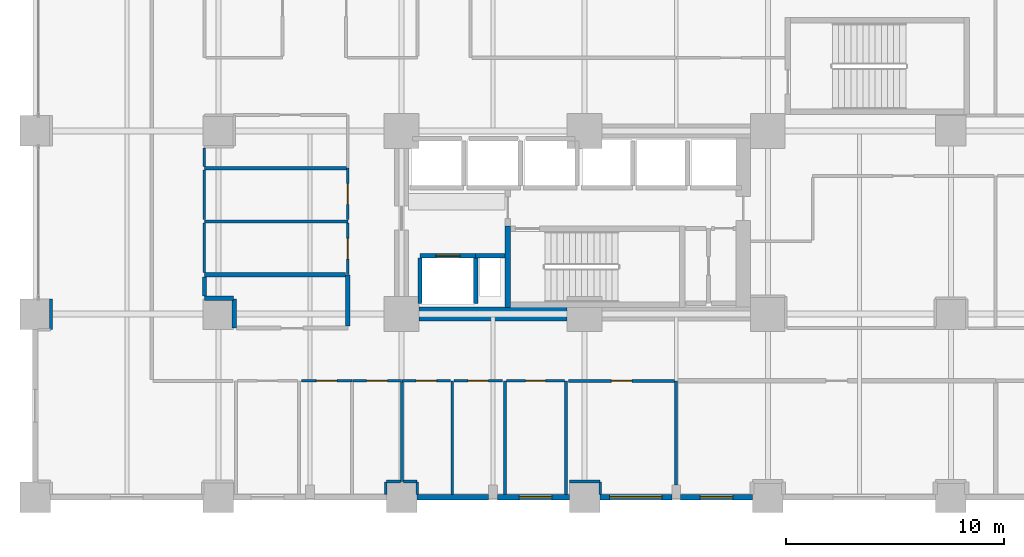
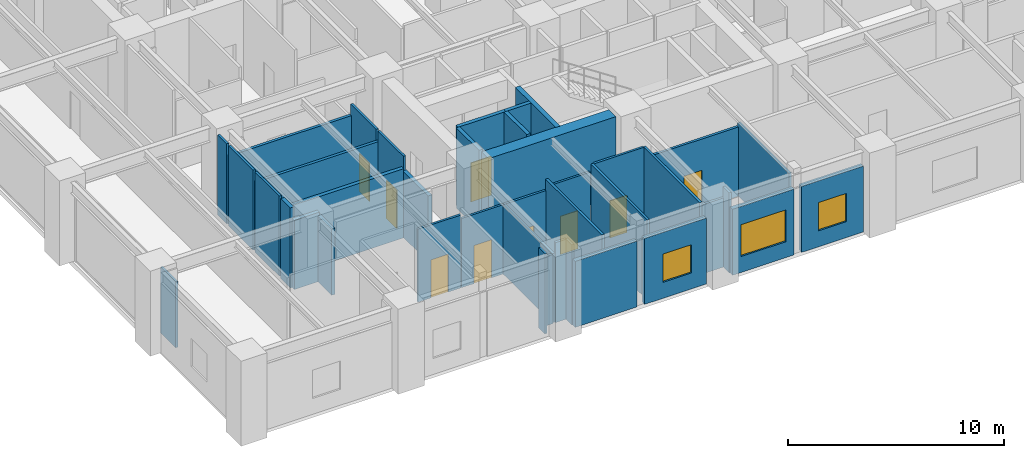
# One storey, part 19 of 24: 40 walls, 9 doors, 3 windows, 12 openings.
"""IFC4 building model written with IfcOpenShell, lengths in metres."""

from ifc_helpers import new_model, si_unit, direction, frame, frame_2d, origin, place, context, subcontext, project, spatial, rectangle, extrude, material, layer, layer_set, type_object, element, fill, save


model = new_model("IFC4")

# Units and contexts
model_context = context("Model", 3, precision=1e-05, world=origin(), true_north=direction((0.0, 1.0)))
body_context = subcontext(model_context, "Body", "Model", "MODEL_VIEW")
ifc_project = project(units=[si_unit("LENGTHUNIT", "METRE"), si_unit("AREAUNIT", "SQUARE_METRE"), si_unit("VOLUMEUNIT", "CUBIC_METRE"), si_unit("PLANEANGLEUNIT", "RADIAN"), si_unit("MASSUNIT", "GRAM", prefix="KILO")], contexts=[model_context])

# Site, building, storey
site_placement = place(None, origin())
site = spatial("IfcSite", under=ifc_project, at=site_placement, CompositionType="ELEMENT")
building_placement = place(site_placement, origin())
building = spatial("IfcBuilding", under=site, at=building_placement, Name="Nerrivon Quay Data Exchange", CompositionType="ELEMENT")
storey_placement = place(building_placement, frame((0.0, 0.0, 10.199951171875)))
storey = spatial("IfcBuildingStorey", under=building, at=storey_placement, Name="L02", CompositionType="ELEMENT", Elevation=10.199951171875)

# Wall, opening, window
ifc_material_1 = material(Name="Architectural terracotta precast concrete N50 (50 MPa)", Category="masonry")
ifc_layer_1 = layer(ifc_material_1, 0.239990234375)
ifc_layer_set_1 = layer_set([ifc_layer_1], Name="Architectural terracotta precast concrete N50 (50 MPa)")
wall_type_1 = type_object("IfcWallType", Name="EW-PREC-240", PredefinedType="STANDARD", material=ifc_layer_set_1)
wall_1_placement = place(storey_placement, frame((32.89990234375, 0.0, 0.0), z_axis=(0.0, 0.0, 1.0), x_axis=(-1.0, 0.0, 0.0)))
wall_1 = element("IfcWall", 1, at=wall_1_placement, inside=storey, type_object=wall_type_1, Name="L02 Podium Precast Spandrel Wall 23", PredefinedType="STANDARD", context=body_context, shape_type="SweptSolid", body=[
    extrude(rectangle(XDim=3.2998046875, YDim=0.239990234375, at=frame_2d((1.64990234375, 0.0))), origin(), (0.0, 0.0, 1.0), 3.72509765625),
])
opening_1_placement = place(wall_1_placement, frame((0.89990234375, 0.0, 0.89990234375)))
opening_1 = element("IfcOpeningElement", 2, at=opening_1_placement, cuts=wall_1, Name="Opening WN4", PredefinedType="OPENING", context=body_context, shape_type="SweptSolid", body=[
    extrude(rectangle(XDim=1.5, YDim=1.60009765625, at=frame_2d((0.75, 0.800048828125))), frame((0.0, 0.1298828125, 0.0), z_axis=(0.0, -1.0, 0.0), x_axis=(1.0, 0.0, 0.0)), (0.0, 0.0, 1.0), 0.260009765625),
])
ifc_material_2 = material(Name="Double-glazed low-E solar control glass", Category="glass")
window_type_1 = type_object("IfcWindowType", Name="WIN-W4-1500x1600", PartitioningType="SINGLE_PANEL", PredefinedType="WINDOW", material=ifc_material_2)
window_1_placement = place(opening_1_placement, origin())
window_1 = element("IfcWindow", 3, at=window_1_placement, inside=storey, type_object=window_type_1, Name="L02 Solar Facade Window 23", OverallHeight=1.60009765625, OverallWidth=1.5, PartitioningType="SINGLE_PANEL", PredefinedType="WINDOW", context=body_context, shape_type="SweptSolid", body=[
    extrude(rectangle(XDim=1.5, YDim=1.60009765625, at=frame_2d((0.75, 0.800048828125))), frame((0.0, 0.030029296875, 0.0), z_axis=(0.0, -1.0, 0.0), x_axis=(1.0, 0.0, 0.0)), (0.0, 0.0, 1.0), 0.06005859375),
])
fill(opening_1, window_1)

wall_2_placement = place(storey_placement, frame((29.199951171875, 0.0, 0.0), z_axis=(0.0, 0.0, 1.0), x_axis=(-1.0, 0.0, 0.0)))
wall_2 = element("IfcWall", 4, at=wall_2_placement, inside=storey, type_object=wall_type_1, Name="L02 Podium Precast Spandrel Wall 24", PredefinedType="STANDARD", context=body_context, shape_type="SweptSolid", body=[
    extrude(rectangle(XDim=3.300048828125, YDim=0.239990234375, at=frame_2d((1.64990234375, 0.0))), origin(), (0.0, 0.0, 1.0), 3.72509765625),
])
opening_2_placement = place(wall_2_placement, frame((0.449951171875, 0.0, 0.89990234375)))
opening_2 = element("IfcOpeningElement", 5, at=opening_2_placement, cuts=wall_2, Name="Opening WN1", PredefinedType="OPENING", context=body_context, shape_type="SweptSolid", body=[
    extrude(rectangle(XDim=2.39990234375, YDim=1.800048828125, at=frame_2d((1.199951171875, 0.89990234375))), frame((0.0, 0.1298828125, 0.0), z_axis=(0.0, -1.0, 0.0), x_axis=(1.0, 0.0, 0.0)), (0.0, 0.0, 1.0), 0.260009765625),
])
window_type_2 = type_object("IfcWindowType", Name="WIN-W1-2400x1800", PartitioningType="SINGLE_PANEL", PredefinedType="WINDOW", material=ifc_material_2)
window_2_placement = place(opening_2_placement, origin())
window_2 = element("IfcWindow", 6, at=window_2_placement, inside=storey, type_object=window_type_2, Name="L02 Solar Facade Window 24", OverallHeight=1.800048828125, OverallWidth=2.39990234375, PartitioningType="SINGLE_PANEL", PredefinedType="WINDOW", context=body_context, shape_type="SweptSolid", body=[
    extrude(rectangle(XDim=2.39990234375, YDim=1.800048828125, at=frame_2d((1.199951171875, 0.89990234375))), frame((0.0, 0.030029296875, 0.0), z_axis=(0.0, -1.0, 0.0), x_axis=(1.0, 0.0, 0.0)), (0.0, 0.0, 1.0), 0.06005859375),
])
fill(opening_2, window_2)

wall_3_placement = place(storey_placement, frame((24.5, 0.0, 0.0), z_axis=(0.0, 0.0, 1.0), x_axis=(-1.0, 0.0, 0.0)))
wall_3 = element("IfcWall", 7, at=wall_3_placement, inside=storey, type_object=wall_type_1, Name="L02 Podium Precast Spandrel Wall 25", PredefinedType="STANDARD", context=body_context, shape_type="SweptSolid", body=[
    extrude(rectangle(XDim=3.300048828125, YDim=0.239990234375, at=frame_2d((1.64990234375, 0.0))), origin(), (0.0, 0.0, 1.0), 3.72509765625),
])
opening_3_placement = place(wall_3_placement, frame((0.800048828125, 0.0, 0.89990234375)))
opening_3 = element("IfcOpeningElement", 8, at=opening_3_placement, cuts=wall_3, Name="Opening WN4", PredefinedType="OPENING", context=body_context, shape_type="SweptSolid", body=[
    extrude(rectangle(XDim=1.5, YDim=1.60009765625, at=frame_2d((0.75, 0.800048828125))), frame((0.0, 0.1298828125, 0.0), z_axis=(0.0, -1.0, 0.0), x_axis=(1.0, 0.0, 0.0)), (0.0, 0.0, 1.0), 0.260009765625),
])
window_3_placement = place(opening_3_placement, origin())
window_3 = element("IfcWindow", 9, at=window_3_placement, inside=storey, type_object=window_type_1, Name="L02 Solar Facade Window 25", OverallHeight=1.60009765625, OverallWidth=1.5, PartitioningType="SINGLE_PANEL", PredefinedType="WINDOW", context=body_context, shape_type="SweptSolid", body=[
    extrude(rectangle(XDim=1.5, YDim=1.60009765625, at=frame_2d((0.75, 0.800048828125))), frame((0.0, 0.030029296875, 0.0), z_axis=(0.0, -1.0, 0.0), x_axis=(1.0, 0.0, 0.0)), (0.0, 0.0, 1.0), 0.06005859375),
])
fill(opening_3, window_3)

# Walls
wall_4_placement = place(storey_placement, frame((20.800048828125, 0.0, 0.0), z_axis=(0.0, 0.0, 1.0), x_axis=(-1.0, 0.0, 0.0)))
element("IfcWall", 10, at=wall_4_placement, inside=storey, type_object=wall_type_1, Name="L02 Podium Precast Spandrel Wall 26", PredefinedType="STANDARD", context=body_context, shape_type="SweptSolid", body=[
    extrude(rectangle(XDim=3.300048828125, YDim=0.239990234375, at=frame_2d((1.64990234375, 0.0))), origin(), (0.0, 0.0, 1.0), 3.72509765625),
])
ifc_material_3 = material(Name="Concrete N80 (80 MPa)", Category="concrete")
ifc_layer_2 = layer(ifc_material_3, 0.64990234375)
ifc_layer_set_2 = layer_set([ifc_layer_2], Name="Concrete N80 (80 MPa)")
wall_type_2 = type_object("IfcWallType", Name="WALL-CW-850", PredefinedType="SHEAR", material=ifc_layer_set_2)
wall_5_placement = place(storey_placement, frame((17.60009765625, 8.39990234375, 0.0), z_axis=(0.0, 0.0, 1.0), x_axis=(1.0, 0.0, 0.0)))
element("IfcWall", 11, at=wall_5_placement, inside=storey, type_object=wall_type_2, Name="L02 East Split-Core Shear Wall ECW-S1", PredefinedType="SHEAR", context=body_context, shape_type="SweptSolid", body=[
    extrude(rectangle(XDim=6.7998046875, YDim=0.64990234375, at=frame_2d((3.39990234375, 0.0))), origin(), (0.0, 0.0, 1.0), 4.525146484375),
])
ifc_material_4 = material(Name="Gypsum plasterboard on cold-formed framing", Category="gypsum")
ifc_layer_3 = layer(ifc_material_4, 0.199951171875)
ifc_layer_set_3 = layer_set([ifc_layer_3], Name="Gypsum plasterboard on cold-formed framing")
wall_type_3 = type_object("IfcWallType", Name="WALL-FW-200", PredefinedType="PARTITIONING", material=ifc_layer_set_3)
wall_6_placement = place(storey_placement, frame((20.199951171875, 11.080078125, 0.0), z_axis=(0.0, 0.0, 1.0), x_axis=(1.0, 0.0, 0.0)))
element("IfcWall", 12, at=wall_6_placement, inside=storey, type_object=wall_type_3, Name="L02 East Core MEP Riser Shaft Wall N", PredefinedType="PARTITIONING", context=body_context, shape_type="SweptSolid", body=[
    extrude(rectangle(XDim=1.35009765625, YDim=0.199951171875, at=frame_2d((0.675048828125, 0.0))), origin(), (0.0, 0.0, 1.0), 4.525146484375),
])

# Wall, opening, door
wall_7_placement = place(storey_placement, frame((17.64990234375, 11.080078125, 0.0), z_axis=(0.0, 0.0, 1.0), x_axis=(1.0, 0.0, 0.0)))
wall_7 = element("IfcWall", 13, at=wall_7_placement, inside=storey, type_object=wall_type_3, Name="L02 Lift Front Wall FFL-2", PredefinedType="PARTITIONING", context=body_context, shape_type="SweptSolid", body=[
    extrude(rectangle(XDim=2.550048828125, YDim=0.199951171875, at=frame_2d((1.27490234375, 0.0))), origin(), (0.0, 0.0, 1.0), 4.525146484375),
])
opening_4_placement = place(wall_7_placement, frame((0.72509765625, 0.0, 0.0)))
opening_4 = element("IfcOpeningElement", 14, at=opening_4_placement, cuts=wall_7, Name="Opening LD-120", PredefinedType="OPENING", context=body_context, shape_type="SweptSolid", body=[
    extrude(rectangle(XDim=1.10009765625, YDim=2.199951171875, at=frame_2d((0.550048828125, 1.10009765625))), frame((0.0, 0.10986328125, 0.0), z_axis=(0.0, -1.0, 0.0), x_axis=(1.0, 0.0, 0.0)), (0.0, 0.0, 1.0), 0.219970703125),
])
ifc_material_5 = material(Name="Powder-coated galvanized steel sheet", Category="steel")
door_type_1 = type_object("IfcDoorType", Name="DR-LIFT-LD120", OperationType="DOUBLE_DOOR_SLIDING", PredefinedType="DOOR", material=ifc_material_5)
door_1_placement = place(opening_4_placement, origin())
door_1 = element("IfcDoor", 15, at=door_1_placement, inside=storey, type_object=door_type_1, Name="L02 Lift Landing Sliding Door FFL-2", OperationType="DOUBLE_DOOR_SLIDING", OverallHeight=2.199951171875, OverallWidth=1.10009765625, PredefinedType="DOOR", context=body_context, shape_type="SweptSolid", body=[
    extrude(rectangle(XDim=1.10009765625, YDim=2.199951171875, at=frame_2d((0.550048828125, 1.10009765625))), frame((0.0, 0.02490234375, 0.0), z_axis=(0.0, -1.0, 0.0), x_axis=(1.0, 0.0, 0.0)), (0.0, 0.0, 1.0), 0.050048828125),
])
fill(opening_4, door_1)

# Walls
for number, where, z_axis, x_axis, name in (
    (16, (20.199951171875, 8.8798828125, 0.0), (0.0, 0.0, 1.0), (0.0, 1.0, 0.0), "L02 Lift Shaft Wall FFL-2 EAST"),
    (17, (17.64990234375, 8.8798828125, 0.0), (0.0, 0.0, 1.0), (0.0, 1.0, 0.0), "L02 Lift Shaft Wall FFL-2 WEST"),
):
    element("IfcWall", number, at=place(storey_placement, frame(where, z_axis=z_axis, x_axis=x_axis)), inside=storey, type_object=wall_type_3, Name=name, PredefinedType="PARTITIONING", context=body_context, shape_type="SweptSolid", body=[
        extrude(rectangle(XDim=2.10009765625, YDim=0.199951171875, at=frame_2d((1.050048828125, 0.0))), origin(), (0.0, 0.0, 1.0), 4.525146484375),
    ])
wall_8_placement = place(storey_placement, frame((7.760009765625, 9.1201171875, 0.0), z_axis=(0.0, 0.0, 1.0), x_axis=(1.0, 0.0, 0.0)))
element("IfcWall", 18, at=wall_8_placement, inside=storey, type_object=wall_type_3, Name="L02 Partition Colocation Data Workspace 1", PredefinedType="PARTITIONING", context=body_context, shape_type="SweptSolid", body=[
    extrude(rectangle(XDim=1.340087890625, YDim=0.199951171875, at=frame_2d((0.669921875, 0.0))), origin(), (0.0, 0.0, 1.0), 3.9130859375),
])
wall_9_placement = place(storey_placement, frame((9.1201171875, 9.10009765625, 0.0), z_axis=(0.0, 0.0, 1.0), x_axis=(0.0, -1.0, 0.0)))
element("IfcWall", 19, at=wall_9_placement, inside=storey, type_object=wall_type_3, Name="L02 Partition Colocation Data Workspace 1", PredefinedType="PARTITIONING", context=body_context, shape_type="SweptSolid", body=[
    extrude(rectangle(XDim=1.340087890625, YDim=0.199951171875, at=frame_2d((0.669921875, 0.0))), origin(), (0.0, 0.0, 1.0), 3.72509765625),
])
wall_10_placement = place(storey_placement, frame((14.340087890625, 7.864013671875, 0.0), z_axis=(0.0, 0.0, 1.0), x_axis=(0.0, 1.0, 0.0)))
element("IfcWall", 20, at=wall_10_placement, inside=storey, type_object=wall_type_3, Name="L02 Partition Colocation Data Workspace 1", PredefinedType="PARTITIONING", context=body_context, shape_type="SweptSolid", body=[
    extrude(rectangle(XDim=2.341064453125, YDim=0.199951171875, at=frame_2d((1.17041015625, 0.0))), origin(), (0.0, 0.0, 1.0), 3.72509765625),
])
wall_11_placement = place(storey_placement, frame((14.236083984375, 10.205078125, 0.0), z_axis=(0.0, 0.0, 1.0), x_axis=(-1.0, 0.0, 0.0)))
element("IfcWall", 21, at=wall_11_placement, inside=storey, type_object=wall_type_3, Name="L02 Partition Colocation Data Workspace 1", PredefinedType="PARTITIONING", context=body_context, shape_type="SweptSolid", body=[
    extrude(rectangle(XDim=6.47607421875, YDim=0.199951171875, at=frame_2d((3.238037109375, 0.0))), origin(), (0.0, 0.0, 1.0), 3.9130859375),
])
wall_12_placement = place(storey_placement, frame((7.760009765625, 10.10107421875, 0.0), z_axis=(0.0, 0.0, 1.0), x_axis=(0.0, -1.0, 0.0)))
element("IfcWall", 22, at=wall_12_placement, inside=storey, type_object=wall_type_3, Name="L02 Partition Colocation Data Workspace 1", PredefinedType="PARTITIONING", context=body_context, shape_type="SweptSolid", body=[
    extrude(rectangle(XDim=0.876953125, YDim=0.199951171875, at=frame_2d((0.4384765625, 0.0))), origin(), (0.0, 0.0, 1.0), 4.525146484375),
])

# Wall, opening, door
ifc_layer_4 = layer(ifc_material_4, 0.1201171875)
ifc_layer_set_4 = layer_set([ifc_layer_4], Name="Gypsum plasterboard on cold-formed framing")
wall_type_4 = type_object("IfcWallType", Name="WALL-PT-120", PredefinedType="PARTITIONING", material=ifc_layer_set_4)
wall_13_placement = place(storey_placement, frame((24.278564453125, 5.340087890625, 0.0), z_axis=(0.0, 0.0, 1.0), x_axis=(-1.0, 0.0, 0.0)))
wall_13 = element("IfcWall", 23, at=wall_13_placement, inside=storey, type_object=wall_type_4, Name="L02 Partition Public Washrooms", PredefinedType="PARTITIONING", context=body_context, shape_type="SweptSolid", body=[
    extrude(rectangle(XDim=2.656982421875, YDim=0.1201171875, at=frame_2d((1.32861328125, 0.0))), origin(), (0.0, 0.0, 1.0), 4.525146484375),
])
opening_5_placement = place(wall_13_placement, frame((0.868408203125, 0.0, 0.0)))
opening_5 = element("IfcOpeningElement", 24, at=opening_5_placement, cuts=wall_13, Name="Opening D-WC", PredefinedType="OPENING", context=body_context, shape_type="SweptSolid", body=[
    extrude(rectangle(XDim=0.919921875, YDim=2.10009765625, at=frame_2d((0.4599609375, 1.050048828125))), frame((0.0, 0.070068359375, 0.0), z_axis=(0.0, -1.0, 0.0), x_axis=(1.0, 0.0, 0.0)), (0.0, 0.0, 1.0), 0.14013671875),
])
ifc_material_6 = material(Name="Engineered hardwood timber", Category="wood")
door_type_2 = type_object("IfcDoorType", Name="DR-WC-920", OperationType="NOTDEFINED", PredefinedType="DOOR", material=ifc_material_6)
door_2_placement = place(opening_5_placement, origin())
door_2 = element("IfcDoor", 25, at=door_2_placement, inside=storey, type_object=door_type_2, Name="L02 Door Public Washrooms", OperationType="SINGLE_SWING_RIGHT", OverallHeight=2.10009765625, OverallWidth=0.919921875, PredefinedType="DOOR", context=body_context, shape_type="SweptSolid", body=[
    extrude(rectangle(XDim=0.919921875, YDim=2.10009765625, at=frame_2d((0.4599609375, 1.050048828125))), frame((0.0, 0.02490234375, 0.0), z_axis=(0.0, -1.0, 0.0), x_axis=(1.0, 0.0, 0.0)), (0.0, 0.0, 1.0), 0.050048828125),
])
fill(opening_5, door_2)

wall_14_placement = place(storey_placement, frame((19.055908203125, 5.340087890625, 0.0), z_axis=(0.0, 0.0, 1.0), x_axis=(-1.0, 0.0, 0.0)))
wall_14 = element("IfcWall", 26, at=wall_14_placement, inside=storey, type_object=wall_type_4, Name="L02 Partition Staff Pantry", PredefinedType="PARTITIONING", context=body_context, shape_type="SweptSolid", body=[
    extrude(rectangle(XDim=2.23095703125, YDim=0.1201171875, at=frame_2d((1.115478515625, 0.0))), origin(), (0.0, 0.0, 1.0), 3.9130859375),
])
opening_6_placement = place(wall_14_placement, frame((0.640380859375, 0.0, 0.0)))
opening_6 = element("IfcOpeningElement", 27, at=opening_6_placement, cuts=wall_14, Name="Opening D-01", PredefinedType="OPENING", context=body_context, shape_type="SweptSolid", body=[
    extrude(rectangle(XDim=0.949951171875, YDim=2.14990234375, at=frame_2d((0.47509765625, 1.074951171875))), frame((0.0, 0.070068359375, 0.0), z_axis=(0.0, -1.0, 0.0), x_axis=(1.0, 0.0, 0.0)), (0.0, 0.0, 1.0), 0.14013671875),
])
door_type_3 = type_object("IfcDoorType", Name="DR-INT-950", OperationType="NOTDEFINED", PredefinedType="DOOR", material=ifc_material_6)
door_3_placement = place(opening_6_placement, origin())
door_3 = element("IfcDoor", 28, at=door_3_placement, inside=storey, type_object=door_type_3, Name="L02 Door Staff Pantry", OperationType="SINGLE_SWING_LEFT", OverallHeight=2.14990234375, OverallWidth=0.949951171875, PredefinedType="DOOR", context=body_context, shape_type="SweptSolid", body=[
    extrude(rectangle(XDim=0.949951171875, YDim=2.14990234375, at=frame_2d((0.47509765625, 1.074951171875))), frame((0.0, 0.02490234375, 0.0), z_axis=(0.0, -1.0, 0.0), x_axis=(1.0, 0.0, 0.0)), (0.0, 0.0, 1.0), 0.050048828125),
])
fill(opening_6, door_3)

# Walls
wall_15_placement = place(storey_placement, frame((16.896484375, 0.719970703125, 0.0), z_axis=(0.0, 0.0, 1.0), x_axis=(1.0, 0.0, 0.0)))
element("IfcWall", 29, at=wall_15_placement, inside=storey, type_object=wall_type_4, Name="L02 Partition Staff Pantry", PredefinedType="PARTITIONING", context=body_context, shape_type="SweptSolid", body=[
    extrude(rectangle(XDim=0.603515625, YDim=0.1201171875, at=frame_2d((0.3017578125, 0.0))), origin(), (0.0, 0.0, 1.0), 4.525146484375),
])
wall_16_placement = place(storey_placement, frame((17.52001953125, 0.699951171875, 0.0), z_axis=(0.0, 0.0, 1.0), x_axis=(0.0, -1.0, 0.0)))
element("IfcWall", 30, at=wall_16_placement, inside=storey, type_object=wall_type_4, Name="L02 Partition Staff Pantry", PredefinedType="PARTITIONING", context=body_context, shape_type="SweptSolid", body=[
    extrude(rectangle(XDim=0.575927734375, YDim=0.1201171875, at=frame_2d((0.2880859375, 0.0))), origin(), (0.0, 0.0, 1.0), 4.525146484375),
])

# Wall, opening, door
wall_17_placement = place(storey_placement, frame((14.5224609375, 5.340087890625, 0.0), z_axis=(0.0, 0.0, 1.0), x_axis=(-1.0, 0.0, 0.0)))
wall_17 = element("IfcWall", 31, at=wall_17_placement, inside=storey, type_object=wall_type_4, Name="L02 Partition Exchange Gallery Auditorium", PredefinedType="PARTITIONING", context=body_context, shape_type="SweptSolid", body=[
    extrude(rectangle(XDim=2.302490234375, YDim=0.1201171875, at=frame_2d((1.1513671875, 0.0))), origin(), (0.0, 0.0, 1.0), 4.1220703125),
])
opening_7_placement = place(wall_17_placement, frame((0.67626953125, 0.0, 0.0)))
opening_7 = element("IfcOpeningElement", 32, at=opening_7_placement, cuts=wall_17, Name="Opening D-01", PredefinedType="OPENING", context=body_context, shape_type="SweptSolid", body=[
    extrude(rectangle(XDim=0.949951171875, YDim=2.14990234375, at=frame_2d((0.47509765625, 1.074951171875))), frame((0.0, 0.070068359375, 0.0), z_axis=(0.0, -1.0, 0.0), x_axis=(1.0, 0.0, 0.0)), (0.0, 0.0, 1.0), 0.14013671875),
])
door_4_placement = place(opening_7_placement, origin())
door_4 = element("IfcDoor", 33, at=door_4_placement, inside=storey, type_object=door_type_3, Name="L02 Door Exchange Gallery Auditorium", OperationType="SINGLE_SWING_RIGHT", OverallHeight=2.14990234375, OverallWidth=0.949951171875, PredefinedType="DOOR", context=body_context, shape_type="SweptSolid", body=[
    extrude(rectangle(XDim=0.949951171875, YDim=2.14990234375, at=frame_2d((0.47509765625, 1.074951171875))), frame((0.0, 0.02490234375, 0.0), z_axis=(0.0, -1.0, 0.0), x_axis=(1.0, 0.0, 0.0)), (0.0, 0.0, 1.0), 0.050048828125),
])
fill(opening_7, door_4)

# Walls
wall_18_placement = place(storey_placement, frame((16.080078125, 0.1240234375, 0.0), z_axis=(0.0, 0.0, 1.0), x_axis=(0.0, 1.0, 0.0)))
element("IfcWall", 34, at=wall_18_placement, inside=storey, type_object=wall_type_4, Name="L02 Partition Technical Seminar Room 1", PredefinedType="PARTITIONING", context=body_context, shape_type="SweptSolid", body=[
    extrude(rectangle(XDim=0.575927734375, YDim=0.1201171875, at=frame_2d((0.2880859375, 0.0))), origin(), (0.0, 0.0, 1.0), 4.525146484375),
])
wall_19_placement = place(storey_placement, frame((16.10009765625, 0.719970703125, 0.0), z_axis=(0.0, 0.0, 1.0), x_axis=(1.0, 0.0, 0.0)))
element("IfcWall", 35, at=wall_19_placement, inside=storey, type_object=wall_type_4, Name="L02 Partition Technical Seminar Room 1", PredefinedType="PARTITIONING", context=body_context, shape_type="SweptSolid", body=[
    extrude(rectangle(XDim=0.6533203125, YDim=0.1201171875, at=frame_2d((0.32666015625, 0.0))), origin(), (0.0, 0.0, 1.0), 3.9130859375),
])

# Wall, opening, door
wall_20_placement = place(storey_placement, frame((16.804931640625, 5.340087890625, 0.0), z_axis=(0.0, 0.0, 1.0), x_axis=(-1.0, 0.0, 0.0)))
wall_20 = element("IfcWall", 36, at=wall_20_placement, inside=storey, type_object=wall_type_4, Name="L02 Partition Technical Seminar Room 1", PredefinedType="PARTITIONING", context=body_context, shape_type="SweptSolid", body=[
    extrude(rectangle(XDim=2.262451171875, YDim=0.1201171875, at=frame_2d((1.13134765625, 0.0))), origin(), (0.0, 0.0, 1.0), 3.9130859375),
])
opening_8_placement = place(wall_20_placement, frame((0.65625, 0.0, 0.0)))
opening_8 = element("IfcOpeningElement", 37, at=opening_8_placement, cuts=wall_20, Name="Opening D-01", PredefinedType="OPENING", context=body_context, shape_type="SweptSolid", body=[
    extrude(rectangle(XDim=0.949951171875, YDim=2.14990234375, at=frame_2d((0.47509765625, 1.074951171875))), frame((0.0, 0.070068359375, 0.0), z_axis=(0.0, -1.0, 0.0), x_axis=(1.0, 0.0, 0.0)), (0.0, 0.0, 1.0), 0.14013671875),
])
door_5_placement = place(opening_8_placement, origin())
door_5 = element("IfcDoor", 38, at=door_5_placement, inside=storey, type_object=door_type_3, Name="L02 Door Technical Seminar Room 1", OperationType="SINGLE_SWING_LEFT", OverallHeight=2.14990234375, OverallWidth=0.949951171875, PredefinedType="DOOR", context=body_context, shape_type="SweptSolid", body=[
    extrude(rectangle(XDim=0.949951171875, YDim=2.14990234375, at=frame_2d((0.47509765625, 1.074951171875))), frame((0.0, 0.02490234375, 0.0), z_axis=(0.0, -1.0, 0.0), x_axis=(1.0, 0.0, 0.0)), (0.0, 0.0, 1.0), 0.050048828125),
])
fill(opening_8, door_5)

wall_21_placement = place(storey_placement, frame((21.429931640625, 5.340087890625, 0.0), z_axis=(0.0, 0.0, 1.0), x_axis=(-1.0, 0.0, 0.0)))
wall_21 = element("IfcWall", 39, at=wall_21_placement, inside=storey, type_object=wall_type_4, Name="L02 Partition Executive Boardroom", PredefinedType="PARTITIONING", context=body_context, shape_type="SweptSolid", body=[
    extrude(rectangle(XDim=2.23095703125, YDim=0.1201171875, at=frame_2d((1.115478515625, 0.0))), origin(), (0.0, 0.0, 1.0), 4.1220703125),
])
opening_9_placement = place(wall_21_placement, frame((0.640380859375, 0.0, 0.0)))
opening_9 = element("IfcOpeningElement", 40, at=opening_9_placement, cuts=wall_21, Name="Opening D-01", PredefinedType="OPENING", context=body_context, shape_type="SweptSolid", body=[
    extrude(rectangle(XDim=0.949951171875, YDim=2.14990234375, at=frame_2d((0.47509765625, 1.074951171875))), frame((0.0, 0.070068359375, 0.0), z_axis=(0.0, -1.0, 0.0), x_axis=(1.0, 0.0, 0.0)), (0.0, 0.0, 1.0), 0.14013671875),
])
door_6_placement = place(opening_9_placement, origin())
door_6 = element("IfcDoor", 41, at=door_6_placement, inside=storey, type_object=door_type_3, Name="L02 Door Executive Boardroom", OperationType="SINGLE_SWING_RIGHT", OverallHeight=2.14990234375, OverallWidth=0.949951171875, PredefinedType="DOOR", context=body_context, shape_type="SweptSolid", body=[
    extrude(rectangle(XDim=0.949951171875, YDim=2.14990234375, at=frame_2d((0.47509765625, 1.074951171875))), frame((0.0, 0.02490234375, 0.0), z_axis=(0.0, -1.0, 0.0), x_axis=(1.0, 0.0, 0.0)), (0.0, 0.0, 1.0), 0.050048828125),
])
fill(opening_9, door_6)

wall_22_placement = place(storey_placement, frame((14.340087890625, 12.72900390625, 0.0), z_axis=(0.0, 0.0, 1.0), x_axis=(0.0, 1.0, 0.0)))
wall_22 = element("IfcWall", 42, at=wall_22_placement, inside=storey, type_object=wall_type_4, Name="L02 Partition Cloud Compute Workspace 1", PredefinedType="PARTITIONING", context=body_context, shape_type="SweptSolid", body=[
    extrude(rectangle(XDim=2.365966796875, YDim=0.1201171875, at=frame_2d((1.18310546875, 0.0))), origin(), (0.0, 0.0, 1.0), 4.525146484375),
])
opening_10_placement = place(wall_22_placement, frame((0.7080078125, 0.0, 0.0)))
opening_10 = element("IfcOpeningElement", 43, at=opening_10_placement, cuts=wall_22, Name="Opening D-01", PredefinedType="OPENING", context=body_context, shape_type="SweptSolid", body=[
    extrude(rectangle(XDim=0.949951171875, YDim=2.14990234375, at=frame_2d((0.47509765625, 1.074951171875))), frame((0.0, 0.070068359375, 0.0), z_axis=(0.0, -1.0, 0.0), x_axis=(1.0, 0.0, 0.0)), (0.0, 0.0, 1.0), 0.14013671875),
])
door_7_placement = place(opening_10_placement, origin())
door_7 = element("IfcDoor", 44, at=door_7_placement, inside=storey, type_object=door_type_3, Name="L02 Door Cloud Compute Workspace 1", OperationType="SINGLE_SWING_RIGHT", OverallHeight=2.14990234375, OverallWidth=0.949951171875, PredefinedType="DOOR", context=body_context, shape_type="SweptSolid", body=[
    extrude(rectangle(XDim=0.949951171875, YDim=2.14990234375, at=frame_2d((0.47509765625, 1.074951171875))), frame((0.0, 0.02490234375, 0.0), z_axis=(0.0, -1.0, 0.0), x_axis=(1.0, 0.0, 0.0)), (0.0, 0.0, 1.0), 0.050048828125),
])
fill(opening_10, door_7)

# Walls
wall_23_placement = place(storey_placement, frame((7.760009765625, 15.01611328125, 0.0), z_axis=(0.0, 0.0, 1.0), x_axis=(0.0, -1.0, 0.0)))
element("IfcWall", 45, at=wall_23_placement, inside=storey, type_object=wall_type_4, Name="L02 Partition Cloud Compute Workspace 1", PredefinedType="PARTITIONING", context=body_context, shape_type="SweptSolid", body=[
    extrude(rectangle(XDim=2.287109375, YDim=0.1201171875, at=frame_2d((1.1435546875, 0.0))), origin(), (0.0, 0.0, 1.0), 4.525146484375),
])
wall_24_placement = place(storey_placement, frame((7.760009765625, 16.01611328125, 0.0), z_axis=(0.0, 0.0, 1.0), x_axis=(0.0, -1.0, 0.0)))
element("IfcWall", 46, at=wall_24_placement, inside=storey, type_object=wall_type_4, Name="L02 Partition Engineers Lounge", PredefinedType="PARTITIONING", context=body_context, shape_type="SweptSolid", body=[
    extrude(rectangle(XDim=0.842041015625, YDim=0.1201171875, at=frame_2d((0.4208984375, 0.0))), origin(), (0.0, 0.0, 1.0), 4.525146484375),
])
wall_25_placement = place(storey_placement, frame((7.760009765625, 12.571044921875, 0.0), z_axis=(0.0, 0.0, 1.0), x_axis=(0.0, -1.0, 0.0)))
element("IfcWall", 47, at=wall_25_placement, inside=storey, type_object=wall_type_4, Name="L02 Partition Staff Pantry 8", PredefinedType="PARTITIONING", context=body_context, shape_type="SweptSolid", body=[
    extrude(rectangle(XDim=2.261962890625, YDim=0.1201171875, at=frame_2d((1.130859375, 0.0))), origin(), (0.0, 0.0, 1.0), 4.525146484375),
])

# Wall, opening, door
wall_26_placement = place(storey_placement, frame((14.340087890625, 10.22509765625, 0.0), z_axis=(0.0, 0.0, 1.0), x_axis=(0.0, 1.0, 0.0)))
wall_26 = element("IfcWall", 48, at=wall_26_placement, inside=storey, type_object=wall_type_4, Name="L02 Partition Staff Pantry 8", PredefinedType="PARTITIONING", context=body_context, shape_type="SweptSolid", body=[
    extrude(rectangle(XDim=2.345947265625, YDim=0.1201171875, at=frame_2d((1.1728515625, 0.0))), origin(), (0.0, 0.0, 1.0), 4.525146484375),
])
opening_11_placement = place(wall_26_placement, frame((0.697998046875, 0.0, 0.0)))
opening_11 = element("IfcOpeningElement", 49, at=opening_11_placement, cuts=wall_26, Name="Opening D-01", PredefinedType="OPENING", context=body_context, shape_type="SweptSolid", body=[
    extrude(rectangle(XDim=0.949951171875, YDim=2.14990234375, at=frame_2d((0.47509765625, 1.074951171875))), frame((0.0, 0.070068359375, 0.0), z_axis=(0.0, -1.0, 0.0), x_axis=(1.0, 0.0, 0.0)), (0.0, 0.0, 1.0), 0.14013671875),
])
door_8_placement = place(opening_11_placement, origin())
door_8 = element("IfcDoor", 50, at=door_8_placement, inside=storey, type_object=door_type_3, Name="L02 Door Staff Pantry 8", OperationType="SINGLE_SWING_RIGHT", OverallHeight=2.14990234375, OverallWidth=0.949951171875, PredefinedType="DOOR", context=body_context, shape_type="SweptSolid", body=[
    extrude(rectangle(XDim=0.949951171875, YDim=2.14990234375, at=frame_2d((0.47509765625, 1.074951171875))), frame((0.0, 0.02490234375, 0.0), z_axis=(0.0, -1.0, 0.0), x_axis=(1.0, 0.0, 0.0)), (0.0, 0.0, 1.0), 0.050048828125),
])
fill(opening_11, door_8)

# Walls
wall_27_placement = place(storey_placement, frame((24.5, 0.719970703125, 0.0), z_axis=(0.0, 0.0, 1.0), x_axis=(1.0, 0.0, 0.0)))
element("IfcWall", 51, at=wall_27_placement, inside=storey, type_object=wall_type_4, Name="L02 Partition Technical Seminar Room 1 10", PredefinedType="PARTITIONING", context=body_context, shape_type="SweptSolid", body=[
    extrude(rectangle(XDim=1.39990234375, YDim=0.1201171875, at=frame_2d((0.699951171875, 0.0))), origin(), (0.0, 0.0, 1.0), 3.9130859375),
])
wall_28_placement = place(storey_placement, frame((25.919921875, 0.699951171875, 0.0), z_axis=(0.0, 0.0, 1.0), x_axis=(0.0, -1.0, 0.0)))
element("IfcWall", 52, at=wall_28_placement, inside=storey, type_object=wall_type_4, Name="L02 Partition Technical Seminar Room 1 10", PredefinedType="PARTITIONING", context=body_context, shape_type="SweptSolid", body=[
    extrude(rectangle(XDim=0.575927734375, YDim=0.1201171875, at=frame_2d((0.2880859375, 0.0))), origin(), (0.0, 0.0, 1.0), 4.525146484375),
])
wall_29_placement = place(storey_placement, frame((0.719970703125, 9.10009765625, 0.0), z_axis=(0.0, 0.0, 1.0), x_axis=(0.0, -1.0, 0.0)))
element("IfcWall", 53, at=wall_29_placement, inside=storey, type_object=wall_type_4, Name="L02 Partition Engineers Lounge 14", PredefinedType="PARTITIONING", context=body_context, shape_type="SweptSolid", body=[
    extrude(rectangle(XDim=1.400146484375, YDim=0.1201171875, at=frame_2d((0.7001953125, 0.0))), origin(), (0.0, 0.0, 1.0), 3.72509765625),
])
ifc_layer_5 = layer(ifc_material_4, 0.135009765625)
ifc_layer_set_5 = layer_set([ifc_layer_5], Name="Gypsum plasterboard on cold-formed framing")
wall_type_5 = type_object("IfcWallType", Name="WALL-PT-135", PredefinedType="PARTITIONING", material=ifc_layer_set_5)
for number, where, z_axis, x_axis, name in (
    (54, (21.550048828125, 5.340087890625, 0.0), (0.0, 0.0, 1.0), (0.0, -1.0, 0.0), "L02 Partition Public Washrooms"),
    (55, (24.35009765625, 0.1240234375, 0.0), (0.0, 0.0, 1.0), (0.0, 1.0, 0.0), "L02 Partition Public Washrooms"),
    (56, (19.12744140625, 0.1240234375, 0.0), (0.0, 0.0, 1.0), (0.0, 1.0, 0.0), "L02 Partition Staff Pantry"),
):
    element("IfcWall", number, at=place(storey_placement, frame(where, z_axis=z_axis, x_axis=x_axis)), inside=storey, type_object=wall_type_5, Name=name, PredefinedType="PARTITIONING", context=body_context, shape_type="SweptSolid", body=[
        extrude(rectangle(XDim=5.216064453125, YDim=0.135009765625, at=frame_2d((2.60791015625, 0.0))), origin(), (0.0, 0.0, 1.0), 4.525146484375),
    ])
wall_30_placement = place(storey_placement, frame((16.824951171875, 5.27587890625, 0.0), z_axis=(0.0, 0.0, 1.0), x_axis=(0.0, -1.0, 0.0)))
element("IfcWall", 57, at=wall_30_placement, inside=storey, type_object=wall_type_5, Name="L02 Partition Staff Pantry", PredefinedType="PARTITIONING", context=body_context, shape_type="SweptSolid", body=[
    extrude(rectangle(XDim=4.555908203125, YDim=0.135009765625, at=frame_2d((2.27783203125, 0.0))), origin(), (0.0, 0.0, 1.0), 3.9130859375),
])
wall_31_placement = place(storey_placement, frame((29.39990234375, 0.570068359375, 0.0), z_axis=(0.0, 0.0, 1.0), x_axis=(0.0, 1.0, 0.0)))
element("IfcWall", 58, at=wall_31_placement, inside=storey, type_object=wall_type_5, Name="L02 Partition Technical Seminar Room 1 10", PredefinedType="PARTITIONING", context=body_context, shape_type="SweptSolid", body=[
    extrude(rectangle(XDim=4.77001953125, YDim=0.135009765625, at=frame_2d((2.385009765625, 0.0))), origin(), (0.0, 0.0, 1.0), 4.1220703125),
])

# Wall, opening, door
wall_32_placement = place(storey_placement, frame((29.32861328125, 5.340087890625, 0.0), z_axis=(0.0, 0.0, 1.0), x_axis=(-1.0, 0.0, 0.0)))
wall_32 = element("IfcWall", 59, at=wall_32_placement, inside=storey, type_object=wall_type_5, Name="L02 Partition Technical Seminar Room 1 10", PredefinedType="PARTITIONING", context=body_context, shape_type="SweptSolid", body=[
    extrude(rectangle(XDim=4.858642578125, YDim=0.135009765625, at=frame_2d((2.42919921875, 0.0))), origin(), (0.0, 0.0, 1.0), 3.9130859375),
])
opening_12_placement = place(wall_32_placement, frame((1.9541015625, 0.0, 0.0)))
opening_12 = element("IfcOpeningElement", 60, at=opening_12_placement, cuts=wall_32, Name="Opening D-01", PredefinedType="OPENING", context=body_context, shape_type="SweptSolid", body=[
    extrude(rectangle(XDim=0.949951171875, YDim=2.14990234375, at=frame_2d((0.47509765625, 1.074951171875))), frame((0.0, 0.077392578125, 0.0), z_axis=(0.0, -1.0, 0.0), x_axis=(1.0, 0.0, 0.0)), (0.0, 0.0, 1.0), 0.155029296875),
])
door_9_placement = place(opening_12_placement, origin())
door_9 = element("IfcDoor", 61, at=door_9_placement, inside=storey, type_object=door_type_3, Name="L02 Door Technical Seminar Room 1 10", OperationType="SINGLE_SWING_RIGHT", OverallHeight=2.14990234375, OverallWidth=0.949951171875, PredefinedType="DOOR", context=body_context, shape_type="SweptSolid", body=[
    extrude(rectangle(XDim=0.949951171875, YDim=2.14990234375, at=frame_2d((0.47509765625, 1.074951171875))), frame((0.0, 0.02490234375, 0.0), z_axis=(0.0, -1.0, 0.0), x_axis=(1.0, 0.0, 0.0)), (0.0, 0.0, 1.0), 0.050048828125),
])
fill(opening_12, door_9)

# Walls
ifc_layer_6 = layer(ifc_material_4, 0.14990234375)
ifc_layer_set_6 = layer_set([ifc_layer_6], Name="Gypsum plasterboard on cold-formed framing")
wall_type_6 = type_object("IfcWallType", Name="WALL-PT-150", PredefinedType="PARTITIONING", material=ifc_layer_set_6)
wall_33_placement = place(storey_placement, frame((7.760009765625, 12.64990234375, 0.0), z_axis=(0.0, 0.0, 1.0), x_axis=(1.0, 0.0, 0.0)))
element("IfcWall", 62, at=wall_33_placement, inside=storey, type_object=wall_type_6, Name="L02 Partition Cloud Compute Workspace 1", PredefinedType="PARTITIONING", context=body_context, shape_type="SweptSolid", body=[
    extrude(rectangle(XDim=6.580078125, YDim=0.14990234375, at=frame_2d((3.2900390625, 0.0))), origin(), (0.0, 0.0, 1.0), 3.9130859375),
])
wall_34_placement = place(storey_placement, frame((14.27587890625, 15.094970703125, 0.0), z_axis=(0.0, 0.0, 1.0), x_axis=(-1.0, 0.0, 0.0)))
element("IfcWall", 63, at=wall_34_placement, inside=storey, type_object=wall_type_6, Name="L02 Partition Cloud Compute Workspace 1", PredefinedType="PARTITIONING", context=body_context, shape_type="SweptSolid", body=[
    extrude(rectangle(XDim=6.515869140625, YDim=0.14990234375, at=frame_2d((3.2578125, 0.0))), origin(), (0.0, 0.0, 1.0), 3.9130859375),
])
ifc_material_7 = material(Name="Concrete N50 (50 MPa)", Category="concrete")
ifc_layer_7 = layer(ifc_material_7, 0.25)
ifc_layer_set_7 = layer_set([ifc_layer_7], Name="Concrete N50 (50 MPa)")
wall_type_7 = type_object("IfcWallType", Name="WALL-SW-250", PredefinedType="SHEAR", material=ifc_layer_set_7)
wall_35_placement = place(storey_placement, frame((21.675048828125, 8.699951171875, 0.0), z_axis=(0.0, 0.0, 1.0), x_axis=(0.0, 1.0, 0.0)))
element("IfcWall", 64, at=wall_35_placement, inside=storey, type_object=wall_type_7, Name="L02 ST02 Structural Stair Core Wall NEAR", PredefinedType="SHEAR", context=body_context, shape_type="SweptSolid", body=[
    extrude(rectangle(XDim=3.75, YDim=0.25, at=frame_2d((1.875, 0.0))), origin(), (0.0, 0.0, 1.0), 4.525146484375),
])

save(model, "model.ifc")
